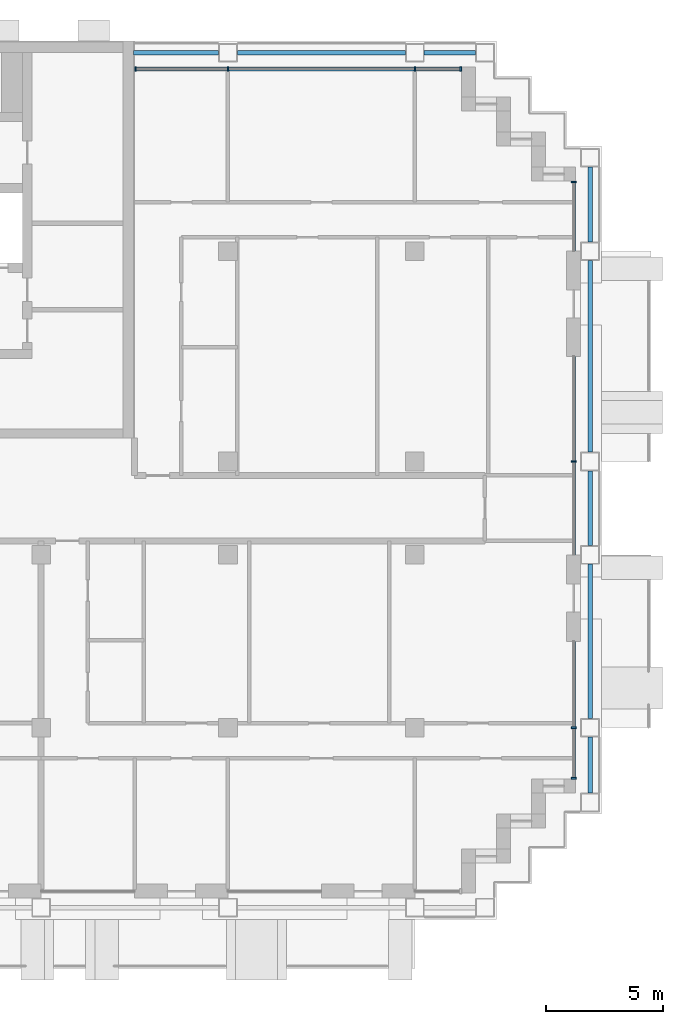
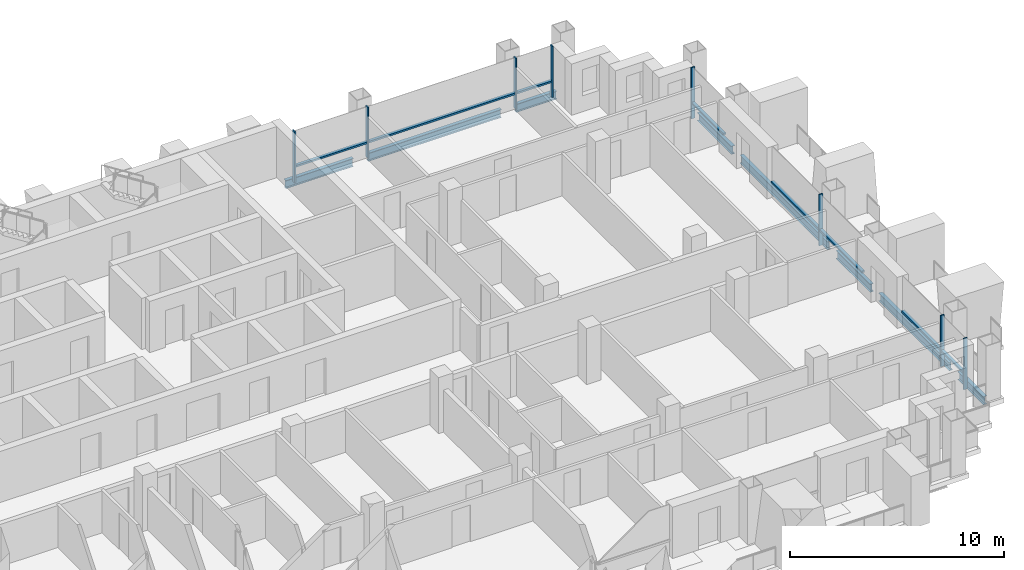
# One storey, part 5 of 16: 16 members, 8 beams, 4 elements without a shape of their own.
"""IFC4 building model written with IfcOpenShell, lengths in metres."""

from ifc_helpers import new_model, si_unit, direction, frame, origin, origin_2d, place, context, subcontext, project, spatial, rectangle, i_section, extrude, material, material_profile, profile_set, type_object, element, aggregate, save


model = new_model("IFC4")

# Units and contexts
model_context = context("Model", 3, precision=1e-05, world=origin(), true_north=direction((0.0, 1.0)))
body_context = subcontext(model_context, "Body", "Model", "MODEL_VIEW")
ifc_project = project(units=[si_unit("LENGTHUNIT", "METRE"), si_unit("AREAUNIT", "SQUARE_METRE"), si_unit("VOLUMEUNIT", "CUBIC_METRE"), si_unit("PLANEANGLEUNIT", "RADIAN"), si_unit("MASSUNIT", "GRAM", prefix="KILO")], contexts=[model_context])

# Site, building, storey
site_placement = place(None, origin())
site = spatial("IfcSite", under=ifc_project, at=site_placement, CompositionType="ELEMENT")
building_placement = place(site_placement, origin())
building = spatial("IfcBuilding", under=site, at=building_placement, Name="Vidyagriha Tower", CompositionType="ELEMENT")
storey_placement = place(building_placement, frame((0.0, 0.0, 129.39990234375)))
storey = spatial("IfcBuildingStorey", under=building, at=storey_placement, Name="L33", CompositionType="ELEMENT", Elevation=129.39990234375)

# Beams
ifc_material_1 = material(Name="Steel ASTM A992 Grade 50", Category="steel")
ifc_material_profile_1 = material_profile(ifc_material_1, i_section(OverallWidth=0.19189453125, OverallDepth=0.46240234375, WebThickness=0.010498046875, FlangeThickness=0.017578125, at=origin_2d()), Name="W18X60")
ifc_profile_set_1 = profile_set([ifc_material_profile_1], Name="Steel ASTM A992 Grade 50")
beam_type = type_object("IfcBeamType", Name="Edge beam W18X60", PredefinedType="SPANDREL", material=ifc_profile_set_1)
beam_1_placement = place(storey_placement, frame((33.5, -12.199951171875, -0.510986328125), z_axis=(0.0, 1.0, 0.0), x_axis=(-1.0, 0.0, 0.0)))
element("IfcBeam", 1, at=beam_1_placement, inside=storey, type_object=beam_type, Name="st-beam-L33-E14", PredefinedType="SPANDREL", context=body_context, shape_type="SweptSolid", body=[
    extrude(i_section(OverallWidth=0.19189453125, OverallDepth=0.46240234375, WebThickness=0.010498046875, FlangeThickness=0.017578125, at=origin_2d()), origin(), (0.0, 0.0, 1.0), 2.39990234375),
])
beam_2_placement = place(storey_placement, frame((33.5, -9.0, -0.510986328125), z_axis=(0.0, 1.0, 0.0), x_axis=(-1.0, 0.0, 0.0)))
element("IfcBeam", 2, at=beam_2_placement, inside=storey, type_object=beam_type, Name="st-beam-L33-E15", PredefinedType="SPANDREL", context=body_context, shape_type="SweptSolid", body=[
    extrude(i_section(OverallWidth=0.19189453125, OverallDepth=0.46240234375, WebThickness=0.010498046875, FlangeThickness=0.017578125, at=origin_2d()), origin(), (0.0, 0.0, 1.0), 6.60009765625),
])
beam_3_placement = place(storey_placement, frame((33.5, -1.60009765625, -0.510986328125), z_axis=(0.0, 1.0, 0.0), x_axis=(-1.0, 0.0, 0.0)))
element("IfcBeam", 3, at=beam_3_placement, inside=storey, type_object=beam_type, Name="st-beam-L33-E16", PredefinedType="SPANDREL", context=body_context, shape_type="SweptSolid", body=[
    extrude(i_section(OverallWidth=0.19189453125, OverallDepth=0.46240234375, WebThickness=0.010498046875, FlangeThickness=0.017578125, at=origin_2d()), origin(), (0.0, 0.0, 1.0), 3.2001953125),
])
beam_4_placement = place(storey_placement, frame((33.5, 2.39990234375, -0.510986328125), z_axis=(0.0, 1.0, 0.0), x_axis=(-1.0, 0.0, 0.0)))
element("IfcBeam", 4, at=beam_4_placement, inside=storey, type_object=beam_type, Name="st-beam-L33-E17", PredefinedType="SPANDREL", context=body_context, shape_type="SweptSolid", body=[
    extrude(i_section(OverallWidth=0.19189453125, OverallDepth=0.46240234375, WebThickness=0.010498046875, FlangeThickness=0.017578125, at=origin_2d()), origin(), (0.0, 0.0, 1.0), 8.2001953125),
])
beam_5_placement = place(storey_placement, frame((33.5, 11.39990234375, -0.510986328125), z_axis=(0.0, 1.0, 0.0), x_axis=(-1.0, 0.0, 0.0)))
element("IfcBeam", 5, at=beam_5_placement, inside=storey, type_object=beam_type, Name="st-beam-L33-E18", PredefinedType="SPANDREL", context=body_context, shape_type="SweptSolid", body=[
    extrude(i_section(OverallWidth=0.19189453125, OverallDepth=0.46240234375, WebThickness=0.010498046875, FlangeThickness=0.017578125, at=origin_2d()), origin(), (0.0, 0.0, 1.0), 3.2001953125),
])
beam_6_placement = place(storey_placement, frame((18.39990234375, 19.5, -0.510986328125), z_axis=(1.0, 0.0, 0.0), x_axis=(0.0, 1.0, 0.0)))
element("IfcBeam", 6, at=beam_6_placement, inside=storey, type_object=beam_type, Name="st-beam-L33-NE20", PredefinedType="SPANDREL", context=body_context, shape_type="SweptSolid", body=[
    extrude(i_section(OverallWidth=0.19189453125, OverallDepth=0.46240234375, WebThickness=0.010498046875, FlangeThickness=0.017578125, at=origin_2d()), origin(), (0.0, 0.0, 1.0), 7.2001953125),
])
beam_7_placement = place(storey_placement, frame((26.39990234375, 19.5, -0.510986328125), z_axis=(1.0, 0.0, 0.0), x_axis=(0.0, 1.0, 0.0)))
element("IfcBeam", 7, at=beam_7_placement, inside=storey, type_object=beam_type, Name="st-beam-L33-NE21", PredefinedType="SPANDREL", context=body_context, shape_type="SweptSolid", body=[
    extrude(i_section(OverallWidth=0.19189453125, OverallDepth=0.46240234375, WebThickness=0.010498046875, FlangeThickness=0.017578125, at=origin_2d()), origin(), (0.0, 0.0, 1.0), 2.2001953125),
])
beam_8_placement = place(storey_placement, frame((13.949951171875, 19.5, -0.510986328125), z_axis=(1.0, 0.0, 0.0), x_axis=(0.0, 1.0, 0.0)))
element("IfcBeam", 8, at=beam_8_placement, inside=storey, type_object=beam_type, Name="st-beam-L33-NC23", PredefinedType="SPANDREL", context=body_context, shape_type="SweptSolid", body=[
    extrude(i_section(OverallWidth=0.19189453125, OverallDepth=0.46240234375, WebThickness=0.010498046875, FlangeThickness=0.017578125, at=origin_2d()), origin(), (0.0, 0.0, 1.0), 3.650146484375),
])

# Curtain wall, members
ifc_material_2 = material(Name="Aluminium and glass curtain wall", Category="aluminium")
curtain_wall_type = type_object("IfcCurtainWallType", Name="Dwelling skin unitised curtain wall", PredefinedType="USERDEFINED", material=ifc_material_2)
curtain_wall_1_placement = place(storey_placement, origin())
curtain_wall_1 = element("IfcCurtainWall", 9, at=curtain_wall_1_placement, inside=storey, type_object=curtain_wall_type, Name="CW1 dwelling skin", ObjectType="UNITISED", PredefinedType="USERDEFINED")
ifc_material_3 = material(Name="Aluminium black anodised", Category="aluminium")
ifc_material_profile_2 = material_profile(ifc_material_3, rectangle(XDim=0.199951171875, YDim=0.070068359375, at=origin_2d()), Name="Mullion 70x200 black aluminium")
ifc_profile_set_2 = profile_set([ifc_material_profile_2], Name="Aluminium black anodised")
member_type_1 = type_object("IfcMemberType", Name="Mullion 70x200 black aluminium", PredefinedType="MULLION", material=ifc_profile_set_2)
member_1_placement = place(storey_placement, frame((27.965087890625, 18.800048828125, 0.0), z_axis=(0.0, 0.0, 1.0), x_axis=(0.0, -1.0, 0.0)))
member_1 = element("IfcMember", 10, at=member_1_placement, type_object=member_type_1, Name="CW1 mullion 1", PredefinedType="MULLION", context=body_context, shape_type="SweptSolid", body=[
    extrude(rectangle(XDim=0.199951171875, YDim=0.070068359375, at=origin_2d()), origin(), (0.0, 0.0, 1.0), 2.920166015625),
])
member_2_placement = place(storey_placement, frame((26.0, 18.800048828125, 0.0), z_axis=(0.0, 0.0, 1.0), x_axis=(0.0, -1.0, 0.0)))
member_2 = element("IfcMember", 11, at=member_2_placement, type_object=member_type_1, Name="CW1 mullion 2", PredefinedType="MULLION", context=body_context, shape_type="SweptSolid", body=[
    extrude(rectangle(XDim=0.199951171875, YDim=0.070068359375, at=origin_2d()), origin(), (0.0, 0.0, 1.0), 2.920166015625),
])
member_3_placement = place(storey_placement, frame((18.0, 18.800048828125, 0.0), z_axis=(0.0, 0.0, 1.0), x_axis=(0.0, -1.0, 0.0)))
member_3 = element("IfcMember", 12, at=member_3_placement, type_object=member_type_1, Name="CW1 mullion 3", PredefinedType="MULLION", context=body_context, shape_type="SweptSolid", body=[
    extrude(rectangle(XDim=0.199951171875, YDim=0.070068359375, at=origin_2d()), origin(), (0.0, 0.0, 1.0), 2.920166015625),
])
member_4_placement = place(storey_placement, frame((14.034912109375, 18.800048828125, 0.0), z_axis=(0.0, 0.0, 1.0), x_axis=(0.0, -1.0, 0.0)))
member_4 = element("IfcMember", 13, at=member_4_placement, type_object=member_type_1, Name="CW1 mullion 4", PredefinedType="MULLION", context=body_context, shape_type="SweptSolid", body=[
    extrude(rectangle(XDim=0.199951171875, YDim=0.070068359375, at=origin_2d()), origin(), (0.0, 0.0, 1.0), 2.920166015625),
])

curtain_wall_2_placement = place(storey_placement, origin())
curtain_wall_2 = element("IfcCurtainWall", 14, at=curtain_wall_2_placement, inside=storey, type_object=curtain_wall_type, Name="CW1 dwelling skin", ObjectType="UNITISED", PredefinedType="USERDEFINED")
member_5_placement = place(storey_placement, frame((32.800048828125, -11.56494140625, 0.0), z_axis=(0.0, 0.0, 1.0), x_axis=(-1.0, 0.0, 0.0)))
member_5 = element("IfcMember", 15, at=member_5_placement, type_object=member_type_1, Name="CW1 mullion 1", PredefinedType="MULLION", context=body_context, shape_type="SweptSolid", body=[
    extrude(rectangle(XDim=0.199951171875, YDim=0.070068359375, at=origin_2d()), origin(), (0.0, 0.0, 1.0), 2.920166015625),
])
member_6_placement = place(storey_placement, frame((32.800048828125, -9.39990234375, 0.0), z_axis=(0.0, 0.0, 1.0), x_axis=(-1.0, 0.0, 0.0)))
member_6 = element("IfcMember", 16, at=member_6_placement, type_object=member_type_1, Name="CW1 mullion 2", PredefinedType="MULLION", context=body_context, shape_type="SweptSolid", body=[
    extrude(rectangle(XDim=0.199951171875, YDim=0.070068359375, at=origin_2d()), origin(), (0.0, 0.0, 1.0), 2.920166015625),
])

# Curtain wall, member
curtain_wall_3_placement = place(storey_placement, origin())
curtain_wall_3 = element("IfcCurtainWall", 17, at=curtain_wall_3_placement, inside=storey, type_object=curtain_wall_type, Name="CW1 dwelling skin", ObjectType="UNITISED", PredefinedType="USERDEFINED")
member_7_placement = place(storey_placement, frame((32.800048828125, 2.0, 0.0), z_axis=(0.0, 0.0, 1.0), x_axis=(-1.0, 0.0, 0.0)))
member_7 = element("IfcMember", 18, at=member_7_placement, type_object=member_type_1, Name="CW1 mullion 2", PredefinedType="MULLION", context=body_context, shape_type="SweptSolid", body=[
    extrude(rectangle(XDim=0.199951171875, YDim=0.070068359375, at=origin_2d()), origin(), (0.0, 0.0, 1.0), 2.920166015625),
])

curtain_wall_4_placement = place(storey_placement, origin())
curtain_wall_4 = element("IfcCurtainWall", 19, at=curtain_wall_4_placement, inside=storey, type_object=curtain_wall_type, Name="CW1 dwelling skin", ObjectType="UNITISED", PredefinedType="USERDEFINED")
member_8_placement = place(storey_placement, frame((32.800048828125, 13.965087890625, 0.0), z_axis=(0.0, 0.0, 1.0), x_axis=(-1.0, 0.0, 0.0)))
member_8 = element("IfcMember", 20, at=member_8_placement, type_object=member_type_1, Name="CW1 mullion 2", PredefinedType="MULLION", context=body_context, shape_type="SweptSolid", body=[
    extrude(rectangle(XDim=0.199951171875, YDim=0.070068359375, at=origin_2d()), origin(), (0.0, 0.0, 1.0), 2.920166015625),
])

# Member
ifc_material_4 = material(Name="Aluminium black anodised", Category="aluminium")
ifc_material_profile_3 = material_profile(ifc_material_4, rectangle(XDim=0.159912109375, YDim=0.10009765625, at=origin_2d()), Name="Transom 100x160 black aluminium")
ifc_profile_set_3 = profile_set([ifc_material_profile_3], Name="Aluminium black anodised")
member_type_2 = type_object("IfcMemberType", Name="Transom 100x160 black aluminium", PredefinedType="USERDEFINED", material=ifc_profile_set_3)
member_9_placement = place(storey_placement, frame((27.929931640625, 18.800048828125, 0.900146484375), z_axis=(-1.0, 0.0, 0.0), x_axis=(0.0, -1.0, 0.0)))
member_9 = element("IfcMember", 21, at=member_9_placement, type_object=member_type_2, Name="CW1 transom 1.1", ObjectType="TRANSOM", PredefinedType="USERDEFINED", context=body_context, shape_type="SweptSolid", body=[
    extrude(rectangle(XDim=0.159912109375, YDim=0.10009765625, at=origin_2d()), origin(), (0.0, 0.0, 1.0), 1.89501953125),
])

member_10_placement = place(storey_placement, frame((25.965087890625, 18.800048828125, 0.900146484375), z_axis=(-1.0, 0.0, 0.0), x_axis=(0.0, -1.0, 0.0)))
member_10 = element("IfcMember", 22, at=member_10_placement, type_object=member_type_2, Name="CW1 transom 2.1", ObjectType="TRANSOM", PredefinedType="USERDEFINED", context=body_context, shape_type="SweptSolid", body=[
    extrude(rectangle(XDim=0.159912109375, YDim=0.10009765625, at=origin_2d()), origin(), (0.0, 0.0, 1.0), 7.93017578125),
])

member_11_placement = place(storey_placement, frame((17.965087890625, 18.800048828125, 0.900146484375), z_axis=(-1.0, 0.0, 0.0), x_axis=(0.0, -1.0, 0.0)))
member_11 = element("IfcMember", 23, at=member_11_placement, type_object=member_type_2, Name="CW1 transom 3.1", ObjectType="TRANSOM", PredefinedType="USERDEFINED", context=body_context, shape_type="SweptSolid", body=[
    extrude(rectangle(XDim=0.159912109375, YDim=0.10009765625, at=origin_2d()), origin(), (0.0, 0.0, 1.0), 3.89501953125),
])

aggregate(curtain_wall_1, [member_1, member_2, member_3, member_4, member_9, member_10, member_11])

member_12_placement = place(storey_placement, frame((32.800048828125, -11.530029296875, 0.900146484375), z_axis=(0.0, 1.0, 0.0), x_axis=(-1.0, 0.0, 0.0)))
member_12 = element("IfcMember", 24, at=member_12_placement, type_object=member_type_2, Name="CW1 transom 1.1", ObjectType="TRANSOM", PredefinedType="USERDEFINED", context=body_context, shape_type="SweptSolid", body=[
    extrude(rectangle(XDim=0.159912109375, YDim=0.10009765625, at=origin_2d()), origin(), (0.0, 0.0, 1.0), 2.094970703125),
])

member_13_placement = place(storey_placement, frame((32.800048828125, -9.364990234375, 0.900146484375), z_axis=(0.0, 1.0, 0.0), x_axis=(-1.0, 0.0, 0.0)))
member_13 = element("IfcMember", 25, at=member_13_placement, type_object=member_type_2, Name="CW1 transom 2.1", ObjectType="TRANSOM", PredefinedType="USERDEFINED", context=body_context, shape_type="SweptSolid", body=[
    extrude(rectangle(XDim=0.159912109375, YDim=0.10009765625, at=origin_2d()), origin(), (0.0, 0.0, 1.0), 3.6650390625),
])

aggregate(curtain_wall_2, [member_5, member_6, member_12, member_13])

member_14_placement = place(storey_placement, frame((32.800048828125, -2.0, 0.900146484375), z_axis=(0.0, 1.0, 0.0), x_axis=(-1.0, 0.0, 0.0)))
member_14 = element("IfcMember", 26, at=member_14_placement, type_object=member_type_2, Name="CW1 transom 1.1", ObjectType="TRANSOM", PredefinedType="USERDEFINED", context=body_context, shape_type="SweptSolid", body=[
    extrude(rectangle(XDim=0.159912109375, YDim=0.10009765625, at=origin_2d()), origin(), (0.0, 0.0, 1.0), 3.965087890625),
])

member_15_placement = place(storey_placement, frame((32.800048828125, 2.034912109375, 0.900146484375), z_axis=(0.0, 1.0, 0.0), x_axis=(-1.0, 0.0, 0.0)))
member_15 = element("IfcMember", 27, at=member_15_placement, type_object=member_type_2, Name="CW1 transom 2.1", ObjectType="TRANSOM", PredefinedType="USERDEFINED", context=body_context, shape_type="SweptSolid", body=[
    extrude(rectangle(XDim=0.159912109375, YDim=0.10009765625, at=origin_2d()), origin(), (0.0, 0.0, 1.0), 4.465087890625),
])

aggregate(curtain_wall_3, [member_7, member_14, member_15])

member_16_placement = place(storey_placement, frame((32.800048828125, 11.0, 0.900146484375), z_axis=(0.0, 1.0, 0.0), x_axis=(-1.0, 0.0, 0.0)))
member_16 = element("IfcMember", 28, at=member_16_placement, type_object=member_type_2, Name="CW1 transom 1.1", ObjectType="TRANSOM", PredefinedType="USERDEFINED", context=body_context, shape_type="SweptSolid", body=[
    extrude(rectangle(XDim=0.159912109375, YDim=0.10009765625, at=origin_2d()), origin(), (0.0, 0.0, 1.0), 2.929931640625),
])

aggregate(curtain_wall_4, [member_8, member_16])

save(model, "model.ifc")
